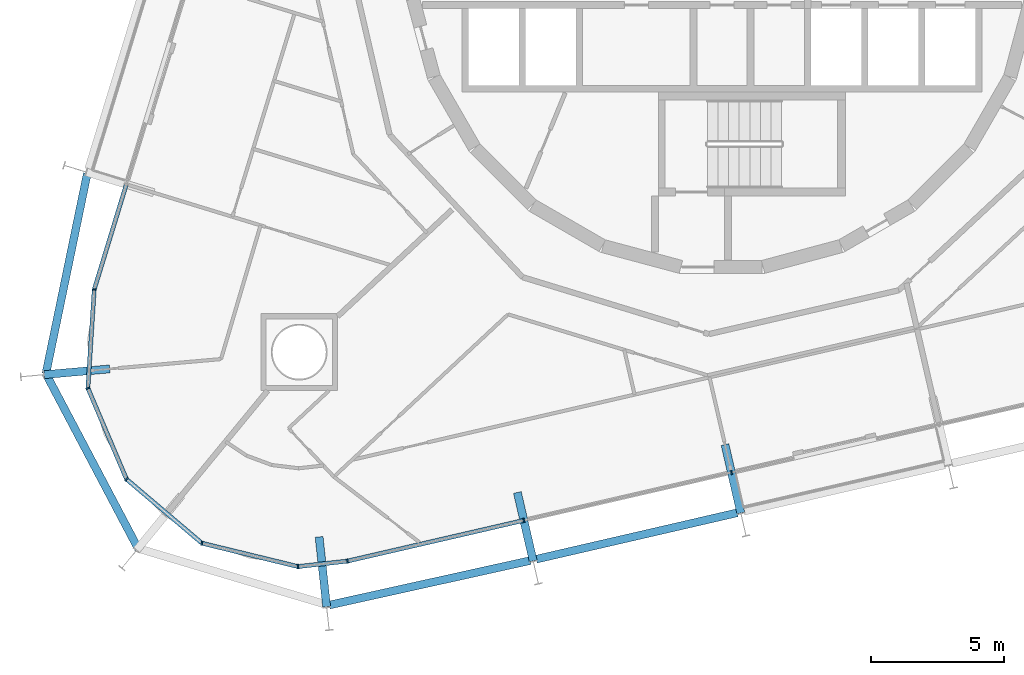
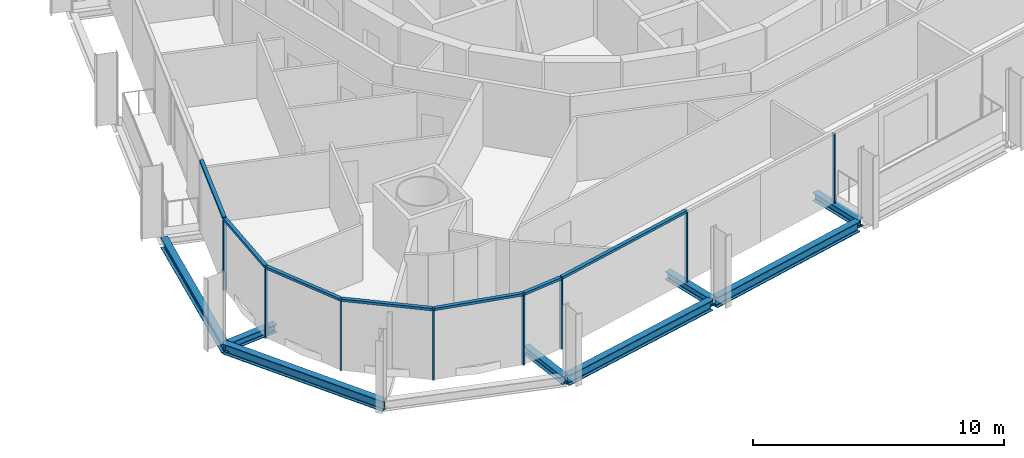
# One storey, part 3 of 18: 15 members, 8 beams, 2 elements without a shape of their own.
"""IFC4 building model written with IfcOpenShell, lengths in metres."""

from ifc_helpers import new_model, si_unit, direction, frame, origin, origin_2d, place, context, subcontext, project, spatial, rectangle, i_section, extrude, material, layer, layer_set, material_profile, profile_set, type_object, element, aggregate, save


model = new_model("IFC4")

# Units and contexts
model_context = context("Model", 3, precision=1e-05, world=origin(), true_north=direction((0.0, 1.0)))
body_context = subcontext(model_context, "Body", "Model", "MODEL_VIEW")
ifc_project = project(units=[si_unit("LENGTHUNIT", "METRE"), si_unit("AREAUNIT", "SQUARE_METRE"), si_unit("VOLUMEUNIT", "CUBIC_METRE"), si_unit("PLANEANGLEUNIT", "RADIAN"), si_unit("MASSUNIT", "GRAM", prefix="KILO")], contexts=[model_context])

# Site, building, storey
site_placement = place(None, origin())
site = spatial("IfcSite", under=ifc_project, at=site_placement, CompositionType="ELEMENT")
building_placement = place(site_placement, origin())
building = spatial("IfcBuilding", under=site, at=building_placement, Name="Spindle Arch Residences", CompositionType="ELEMENT")
storey_placement = place(building_placement, frame((0.0, 0.0, 130.89990234375)))
storey = spatial("IfcBuildingStorey", under=building, at=storey_placement, Name="L32", CompositionType="ELEMENT", Elevation=130.89990234375)

# Curtain wall, members
ifc_material_1 = material(Name="Aluminium bronze unitised frame with tinted glass", Category="aluminium")
ifc_layer_1 = layer(ifc_material_1, 0.159912109375)
ifc_layer_set_1 = layer_set([ifc_layer_1], Name="CW-D corner wall on the fillet arcs")
curtain_wall_type_1 = type_object("IfcCurtainWallType", Name="CW-D corner wall on the fillet arcs", PredefinedType="NOTDEFINED", material=ifc_layer_set_1)
curtain_wall_1_placement = place(storey_placement, origin())
curtain_wall_1 = element("IfcCurtainWall", 1, at=curtain_wall_1_placement, inside=storey, type_object=curtain_wall_type_1, Name="CW-D L32 run 5", PredefinedType="NOTDEFINED")
ifc_material_2 = material(Name="Aluminium bronze anodised mullion", Category="aluminium")
ifc_material_profile_1 = material_profile(ifc_material_2, rectangle(XDim=0.159912109375, YDim=0.06005859375, at=origin_2d()), Name="MU 60x160")
ifc_profile_set_1 = profile_set([ifc_material_profile_1], Name="Aluminium bronze anodised mullion")
member_type_1 = type_object("IfcMemberType", Name="Bronze mullion 60x160", PredefinedType="MULLION", material=ifc_profile_set_1)
member_1_placement = place(storey_placement, frame((-23.6572265625, -12.49267578125, -0.3798828125), z_axis=(0.0, 0.0, 1.0), x_axis=(0.997952993046, -0.063951729226, 0.0)))
member_1 = element("IfcMember", 2, at=member_1_placement, type_object=member_type_1, Name="CW-D mullion 01", PredefinedType="MULLION", context=body_context, shape_type="SweptSolid", body=[
    extrude(rectangle(XDim=0.159912109375, YDim=0.06005859375, at=origin_2d()), origin(), (0.0, 0.0, 1.0), 3.3798828125),
])
member_2_placement = place(storey_placement, frame((-23.8955078125, -16.2119140625, -0.3798828125), z_axis=(0.0, 0.0, 1.0), x_axis=(0.920504854032, 0.390731127124, 0.0)))
member_2 = element("IfcMember", 3, at=member_2_placement, type_object=member_type_1, Name="CW-D mullion 02", PredefinedType="MULLION", context=body_context, shape_type="SweptSolid", body=[
    extrude(rectangle(XDim=0.159912109375, YDim=0.06005859375, at=origin_2d()), origin(), (0.0, 0.0, 1.0), 3.3798828125),
])
member_3_placement = place(storey_placement, frame((-22.439208984375, -19.642333984375, -0.3798828125), z_axis=(0.0, 0.0, 1.0), x_axis=(0.647233374321, 0.762291912042, 0.0)))
member_3 = element("IfcMember", 4, at=member_3_placement, type_object=member_type_1, Name="CW-D mullion 03", PredefinedType="MULLION", context=body_context, shape_type="SweptSolid", body=[
    extrude(rectangle(XDim=0.159912109375, YDim=0.06005859375, at=origin_2d()), origin(), (0.0, 0.0, 1.0), 3.3798828125),
])
member_4_placement = place(storey_placement, frame((-19.598388671875, -22.054443359375, -0.3798828125), z_axis=(0.0, 0.0, 1.0), x_axis=(0.23627288281, 0.971686742139, 0.0)))
member_4 = element("IfcMember", 5, at=member_4_placement, type_object=member_type_1, Name="CW-D mullion 04", PredefinedType="MULLION", context=body_context, shape_type="SweptSolid", body=[
    extrude(rectangle(XDim=0.159912109375, YDim=0.06005859375, at=origin_2d()), origin(), (0.0, 0.0, 1.0), 3.3798828125),
])
member_5_placement = place(storey_placement, frame((-15.977294921875, -22.93505859375, -0.3798828125), z_axis=(0.0, 0.0, 1.0), x_axis=(-0.110312554381, 0.993896946542, 0.0)))
member_5 = element("IfcMember", 6, at=member_5_placement, type_object=member_type_1, Name="CW-D mullion 05", PredefinedType="MULLION", context=body_context, shape_type="SweptSolid", body=[
    extrude(rectangle(XDim=0.159912109375, YDim=0.06005859375, at=origin_2d()), origin(), (0.0, 0.0, 1.0), 3.3798828125),
])
member_6_placement = place(storey_placement, frame((-14.112548828125, -22.72802734375, -0.3798828125), z_axis=(0.0, 0.0, 1.0), x_axis=(-0.224951054344, 0.974370064785, 0.0)))
member_6 = element("IfcMember", 7, at=member_6_placement, type_object=member_type_1, Name="CW-D mullion 06", PredefinedType="MULLION", context=body_context, shape_type="SweptSolid", body=[
    extrude(rectangle(XDim=0.159912109375, YDim=0.06005859375, at=origin_2d()), origin(), (0.0, 0.0, 1.0), 3.3798828125),
])

ifc_material_3 = material(Name="Aluminium bronze unitised frame with tinted glass", Category="aluminium")
ifc_layer_2 = layer(ifc_material_3, 0.159912109375)
ifc_layer_set_2 = layer_set([ifc_layer_2], Name="CW-C typical residential unitised wall")
curtain_wall_type_2 = type_object("IfcCurtainWallType", Name="CW-C typical residential unitised wall", PredefinedType="NOTDEFINED", material=ifc_layer_set_2)
curtain_wall_2_placement = place(storey_placement, origin())
curtain_wall_2 = element("IfcCurtainWall", 8, at=curtain_wall_2_placement, inside=storey, type_object=curtain_wall_type_2, Name="CW-C L32 run 6", PredefinedType="NOTDEFINED")
member_7_placement = place(storey_placement, frame((-7.467529296875, -21.19384765625, -0.3798828125), z_axis=(0.0, 0.0, 1.0), x_axis=(-0.224951054344, 0.974370064785, 0.0)))
member_7 = element("IfcMember", 9, at=member_7_placement, type_object=member_type_1, Name="CW-C mullion 20", PredefinedType="MULLION", context=body_context, shape_type="SweptSolid", body=[
    extrude(rectangle(XDim=0.159912109375, YDim=0.06005859375, at=origin_2d()), origin(), (0.0, 0.0, 1.0), 3.3798828125),
])
member_8_placement = place(storey_placement, frame((0.355712890625, -19.3876953125, -0.3798828125), z_axis=(0.0, 0.0, 1.0), x_axis=(-0.224951054344, 0.974370064785, 0.0)))
member_8 = element("IfcMember", 10, at=member_8_placement, type_object=member_type_1, Name="CW-C mullion 21", PredefinedType="MULLION", context=body_context, shape_type="SweptSolid", body=[
    extrude(rectangle(XDim=0.159912109375, YDim=0.06005859375, at=origin_2d()), origin(), (0.0, 0.0, 1.0), 3.3798828125),
])
aggregate(curtain_wall_2, [member_7, member_8])

# Member
ifc_material_4 = material(Name="Aluminium bronze anodised transom", Category="aluminium")
ifc_material_profile_2 = material_profile(ifc_material_4, rectangle(XDim=0.159912109375, YDim=0.1201171875, at=origin_2d()), Name="TR 120x160")
ifc_profile_set_2 = profile_set([ifc_material_profile_2], Name="Aluminium bronze anodised transom")
member_type_2 = type_object("IfcMemberType", Name="Bronze transom 120x160", PredefinedType="USERDEFINED", material=ifc_profile_set_2)
member_9_placement = place(storey_placement, frame((-22.45458984375, -8.55908203125, 3.06005859375), z_axis=(-0.292362833345, -0.95630746817, 0.0), x_axis=(0.95630746817, -0.292362833345, 0.0)))
member_9 = element("IfcMember", 11, at=member_9_placement, type_object=member_type_2, Name="CW-D transom 00", ObjectType="TRANSOM", PredefinedType="USERDEFINED", context=body_context, shape_type="SweptSolid", body=[
    extrude(rectangle(XDim=0.159912109375, YDim=0.1201171875, at=origin_2d()), origin(), (0.0, 0.0, 1.0), 4.08349609375),
])

member_10_placement = place(storey_placement, frame((-23.6591796875, -12.522705078125, 3.06005859375), z_axis=(-0.063920256807, -0.997955009392, 0.0), x_axis=(0.997955009392, -0.063920256807, 0.0)))
member_10 = element("IfcMember", 12, at=member_10_placement, type_object=member_type_2, Name="CW-D transom 01", ObjectType="TRANSOM", PredefinedType="USERDEFINED", context=body_context, shape_type="SweptSolid", body=[
    extrude(rectangle(XDim=0.159912109375, YDim=0.1201171875, at=origin_2d()), origin(), (0.0, 0.0, 1.0), 3.666748046875),
])

member_11_placement = place(storey_placement, frame((-23.8837890625, -16.239501953125, 3.06005859375), z_axis=(0.39076699022, -0.920489630226, 0.0), x_axis=(0.920489630226, 0.39076699022, 0.0)))
member_11 = element("IfcMember", 13, at=member_11_placement, type_object=member_type_2, Name="CW-D transom 02", ObjectType="TRANSOM", PredefinedType="USERDEFINED", context=body_context, shape_type="SweptSolid", body=[
    extrude(rectangle(XDim=0.159912109375, YDim=0.1201171875, at=origin_2d()), origin(), (0.0, 0.0, 1.0), 3.666748046875),
])

member_12_placement = place(storey_placement, frame((-22.41650390625, -19.661865234375, 3.06005859375), z_axis=(0.762289120673, -0.647236661897, 0.0), x_axis=(0.647236661897, 0.762289120673, 0.0)))
member_12 = element("IfcMember", 14, at=member_12_placement, type_object=member_type_2, Name="CW-D transom 03", ObjectType="TRANSOM", PredefinedType="USERDEFINED", context=body_context, shape_type="SweptSolid", body=[
    extrude(rectangle(XDim=0.159912109375, YDim=0.1201171875, at=origin_2d()), origin(), (0.0, 0.0, 1.0), 3.666748046875),
])

member_13_placement = place(storey_placement, frame((-19.5693359375, -22.0615234375, 3.06005859375), z_axis=(0.971681239144, -0.236295513068, 0.0), x_axis=(0.236295513068, 0.971681239144, 0.0)))
member_13 = element("IfcMember", 15, at=member_13_placement, type_object=member_type_2, Name="CW-D transom 04", ObjectType="TRANSOM", PredefinedType="USERDEFINED", context=body_context, shape_type="SweptSolid", body=[
    extrude(rectangle(XDim=0.159912109375, YDim=0.1201171875, at=origin_2d()), origin(), (0.0, 0.0, 1.0), 3.666748046875),
])

member_14_placement = place(storey_placement, frame((-15.947509765625, -22.931640625, 3.06005859375), z_axis=(0.993906663087, 0.110224974808, 0.0), x_axis=(-0.110224974808, 0.993906663087, 0.0)))
member_14 = element("IfcMember", 16, at=member_14_placement, type_object=member_type_2, Name="CW-D transom 05", ObjectType="TRANSOM", PredefinedType="USERDEFINED", context=body_context, shape_type="SweptSolid", body=[
    extrude(rectangle(XDim=0.159912109375, YDim=0.1201171875, at=origin_2d()), origin(), (0.0, 0.0, 1.0), 1.816162109375),
])

member_15_placement = place(storey_placement, frame((-14.083251953125, -22.721435546875, 3.06005859375), z_axis=(0.974365014398, 0.224972928856, 0.0), x_axis=(-0.224972928856, 0.974365014398, 0.0)))
member_15 = element("IfcMember", 17, at=member_15_placement, type_object=member_type_2, Name="CW-D transom 06", ObjectType="TRANSOM", PredefinedType="USERDEFINED", context=body_context, shape_type="SweptSolid", body=[
    extrude(rectangle(XDim=0.159912109375, YDim=0.1201171875, at=origin_2d()), origin(), (0.0, 0.0, 1.0), 6.759765625),
])

aggregate(curtain_wall_1, [member_9, member_1, member_10, member_2, member_11, member_3, member_12, member_4, member_13, member_5, member_14, member_6, member_15])

# Beams
ifc_material_5 = material(Name="Steel S460ML, intumescent coating R 120", Category="steel")
ifc_material_profile_3 = material_profile(ifc_material_5, i_section(OverallWidth=0.300048828125, OverallDepth=0.5, WebThickness=0.014404296875, FlangeThickness=0.028076171875, FilletRadius=0.027099609375, at=origin_2d()), Name="HEB 500")
ifc_profile_set_3 = profile_set([ifc_material_profile_3], Name="Steel S460ML, intumescent coating R 120")
beam_type_1 = type_object("IfcBeamType", Name="Exoskeleton edge beam HEB 500", PredefinedType="BEAM", material=ifc_profile_set_3)
beam_1_placement = place(storey_placement, frame((-23.91650390625, -8.1181640625, -0.6298828125), z_axis=(-0.202483065161, -0.979285764383, 0.0), x_axis=(0.979285764383, -0.202483065161, 0.0)))
element("IfcBeam", 18, at=beam_1_placement, inside=storey, type_object=beam_type_1, Name="Exoskeleton edge beam 17", PredefinedType="BEAM", context=body_context, shape_type="SweptSolid", body=[
    extrude(i_section(OverallWidth=0.300048828125, OverallDepth=0.5, WebThickness=0.014404296875, FlangeThickness=0.028076171875, FilletRadius=0.027099609375, at=origin_2d()), origin(), (0.0, 0.0, 1.0), 7.708251953125),
])
beam_2_placement = place(storey_placement, frame((-25.4970703125, -15.62939453125, -0.6298828125), z_axis=(0.466652663296, -0.884440666093, 0.0), x_axis=(0.884440666093, 0.466652663296, 0.0)))
element("IfcBeam", 19, at=beam_2_placement, inside=storey, type_object=beam_type_1, Name="Exoskeleton edge beam 18", PredefinedType="BEAM", context=body_context, shape_type="SweptSolid", body=[
    extrude(i_section(OverallWidth=0.300048828125, OverallDepth=0.5, WebThickness=0.014404296875, FlangeThickness=0.028076171875, FilletRadius=0.027099609375, at=origin_2d()), origin(), (0.0, 0.0, 1.0), 7.559326171875),
])
beam_3_placement = place(storey_placement, frame((-14.804443359375, -24.385986328125, -0.6298828125), z_axis=(0.97635466486, 0.216174856093, 0.0), x_axis=(-0.216174856093, 0.97635466486, 0.0)))
element("IfcBeam", 20, at=beam_3_placement, inside=storey, type_object=beam_type_1, Name="Exoskeleton edge beam 20", PredefinedType="BEAM", context=body_context, shape_type="SweptSolid", body=[
    extrude(i_section(OverallWidth=0.300048828125, OverallDepth=0.5, WebThickness=0.014404296875, FlangeThickness=0.028076171875, FilletRadius=0.027099609375, at=origin_2d()), origin(), (0.0, 0.0, 1.0), 7.7666015625),
])
beam_4_placement = place(storey_placement, frame((-6.99658203125, -22.655517578125, -0.6298828125), z_axis=(0.974365237053, 0.224971964525, 0.0), x_axis=(-0.224971964525, 0.974365237053, 0.0)))
element("IfcBeam", 21, at=beam_4_placement, inside=storey, type_object=beam_type_1, Name="Exoskeleton edge beam 21", PredefinedType="BEAM", context=body_context, shape_type="SweptSolid", body=[
    extrude(i_section(OverallWidth=0.300048828125, OverallDepth=0.5, WebThickness=0.014404296875, FlangeThickness=0.028076171875, FilletRadius=0.027099609375, at=origin_2d()), origin(), (0.0, 0.0, 1.0), 7.76904296875),
])
ifc_material_6 = material(Name="Steel S460ML, intumescent coating R 120", Category="steel")
ifc_material_profile_4 = material_profile(ifc_material_6, i_section(OverallWidth=0.300048828125, OverallDepth=0.389892578125, WebThickness=0.010986328125, FlangeThickness=0.01904296875, FilletRadius=0.027099609375, at=origin_2d()), Name="HEA 400")
ifc_profile_set_4 = profile_set([ifc_material_profile_4], Name="Steel S460ML, intumescent coating R 120")
beam_type_2 = type_object("IfcBeamType", Name="Floor outrigger HEA 400", PredefinedType="BEAM", material=ifc_profile_set_4)
beam_5_placement = place(storey_placement, frame((-25.542724609375, -15.703369140625, -0.574951171875), z_axis=(0.996132127572, 0.087867994282, 0.0), x_axis=(-0.087867994282, 0.996132127572, 0.0)))
element("IfcBeam", 22, at=beam_5_placement, inside=storey, type_object=beam_type_2, Name="Floor outrigger 18", PredefinedType="BEAM", context=body_context, shape_type="SweptSolid", body=[
    extrude(i_section(OverallWidth=0.300048828125, OverallDepth=0.389892578125, WebThickness=0.010986328125, FlangeThickness=0.01904296875, FilletRadius=0.027099609375, at=origin_2d()), origin(), (0.0, 0.0, 1.0), 2.48388671875),
])
for number, where, z_axis, x_axis, name in (
    (23, (-14.898193359375, -24.44970703125, -0.574951171875), (-0.106962509845, 0.994263054472, 0.0), (-0.994263054472, -0.106962509845, 0.0), "Floor outrigger 20"),
    (24, (-7.1142578125, -22.7236328125, -0.574951171875), (-0.224980619228, 0.974363238721, 0.0), (-0.974363238721, -0.224980619228, 0.0), "Floor outrigger 21"),
    (25, (0.708984375, -20.91748046875, -0.574951171875), (-0.224980619228, 0.974363238721, 0.0), (-0.974363238721, -0.224980619228, 0.0), "Floor outrigger 22"),
):
    element("IfcBeam", number, at=place(storey_placement, frame(where, z_axis=z_axis, x_axis=x_axis)), inside=storey, type_object=beam_type_2, Name=name, PredefinedType="BEAM", context=body_context, shape_type="SweptSolid", body=[
        extrude(i_section(OverallWidth=0.300048828125, OverallDepth=0.389892578125, WebThickness=0.010986328125, FlangeThickness=0.01904296875, FilletRadius=0.027099609375, at=origin_2d()), origin(), (0.0, 0.0, 1.0), 2.64990234375),
    ])

save(model, "model.ifc")
